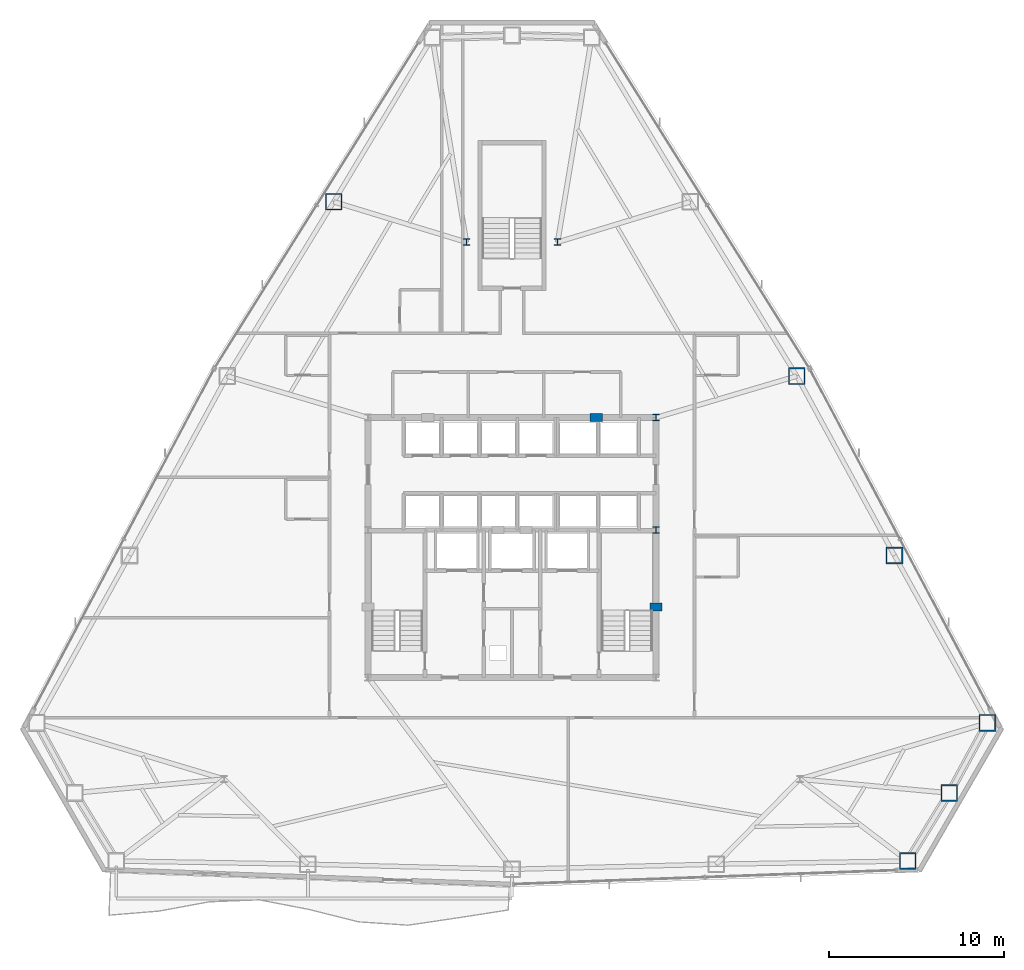
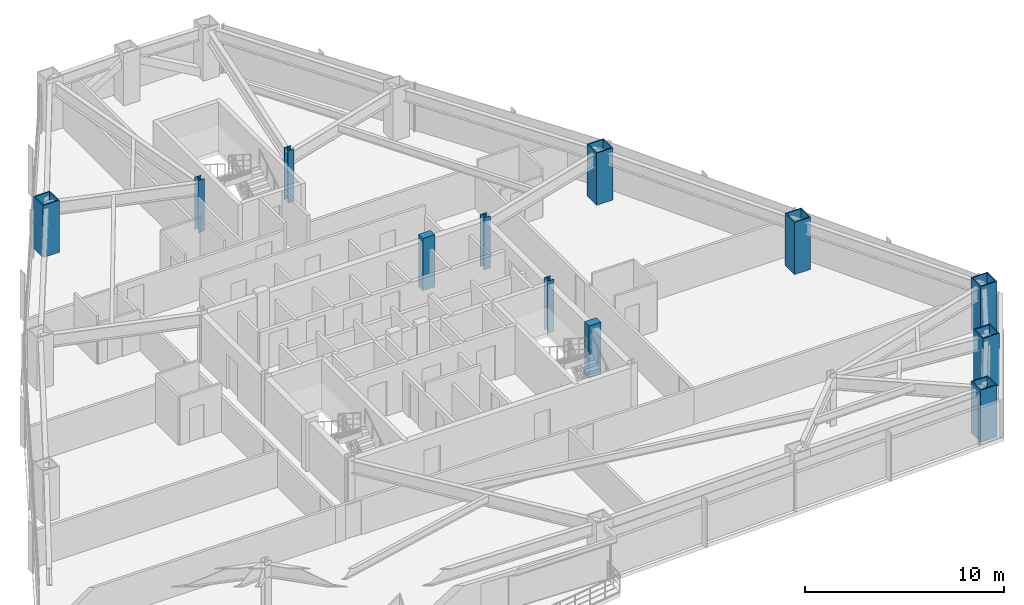
# One storey, part 2 of 13: 12 columns.
"""IFC4 building model written with IfcOpenShell, lengths in metres."""

from ifc_helpers import new_model, si_unit, direction, frame, origin, origin_2d, place, context, subcontext, project, spatial, rectangle, hollow_rectangle, i_section, extrude, material, material_profile, profile_set, type_object, element, save


model = new_model("IFC4")

# Units and contexts
model_context = context("Model", 3, precision=1e-05, world=origin(), true_north=direction((0.0, 1.0)))
body_context = subcontext(model_context, "Body", "Model", "MODEL_VIEW")
ifc_project = project(units=[si_unit("LENGTHUNIT", "METRE"), si_unit("AREAUNIT", "SQUARE_METRE"), si_unit("VOLUMEUNIT", "CUBIC_METRE"), si_unit("PLANEANGLEUNIT", "RADIAN"), si_unit("MASSUNIT", "GRAM", prefix="KILO")], contexts=[model_context])

# Site, building, storey
site_placement = place(None, origin())
site = spatial("IfcSite", under=ifc_project, at=site_placement, CompositionType="ELEMENT")
building_placement = place(site_placement, origin())
building = spatial("IfcBuilding", under=site, at=building_placement, Name="Varakhsha Concourse Tower", CompositionType="ELEMENT")
storey_placement = place(building_placement, frame((0.0, 0.0, 99.0)))
storey = spatial("IfcBuildingStorey", under=building, at=storey_placement, Name="L28", CompositionType="ELEMENT", Elevation=99.0)

# Columns
ifc_material_1 = material(Name="Structural Steel ASTM A992 Grade 50", Category="steel")
ifc_material_profile_1 = material_profile(ifc_material_1, i_section(OverallWidth=0.3740234375, OverallDepth=0.3720703125, WebThickness=0.01611328125, FlangeThickness=0.02587890625, at=origin_2d()), Name="W14X132")
ifc_profile_set_1 = profile_set([ifc_material_profile_1], Name="Structural Steel ASTM A992 Grade 50")
column_type_1 = type_object("IfcColumnType", Name="CL-CORE-W14X132", PredefinedType="COLUMN", material=ifc_profile_set_1)
for number, where, z_axis, x_axis, name in (
    (1, (48.199951171875, 24.800048828125, 0.0), (0.0, 0.0, 1.0), (1.0, 0.0, 0.0), "L28 Core Column CC-ME"),
    (2, (48.199951171875, 31.199951171875, 0.0), (0.0, 0.0, 1.0), (1.0, 0.0, 0.0), "L28 Core Column CC-NE"),
    (3, (37.39990234375, 41.199951171875, 0.0), (0.0, 0.0, 1.0), (1.0, 0.0, 0.0), "L28 Core Column NS-W"),
    (4, (42.60009765625, 41.199951171875, 0.0), (0.0, 0.0, 1.0), (1.0, 0.0, 0.0), "L28 Core Column NS-E"),
):
    element("IfcColumn", number, at=place(storey_placement, frame(where, z_axis=z_axis, x_axis=x_axis)), inside=storey, type_object=column_type_1, Name=name, PredefinedType="COLUMN", context=body_context, shape_type="SweptSolid", body=[
        extrude(i_section(OverallWidth=0.3740234375, OverallDepth=0.3720703125, WebThickness=0.01611328125, FlangeThickness=0.02587890625, at=origin_2d()), origin(), (0.0, 0.0, 1.0), 3.199951171875),
    ])
ifc_material_2 = material(Name="Concrete fc 65 MPa", Category="concrete")
ifc_material_profile_2 = material_profile(ifc_material_2, rectangle(XDim=0.699951171875, YDim=0.449951171875, at=origin_2d()), Name="RC 700x450")
ifc_profile_set_2 = profile_set([ifc_material_profile_2], Name="Concrete fc 65 MPa")
column_type_2 = type_object("IfcColumnType", Name="CL-PIL-700X450", PredefinedType="PILASTER", material=ifc_profile_set_2)
for number, where, z_axis, x_axis, name in (
    (5, (48.199951171875, 20.39990234375, 0.0), (0.0, 0.0, 1.0), (1.0, 0.0, 0.0), "L28 Core Boundary Pilaster PIL-E1"),
    (6, (44.800048828125, 31.199951171875, 0.0), (0.0, 0.0, 1.0), (1.0, 0.0, 0.0), "L28 Core Boundary Pilaster PIL-N2"),
):
    element("IfcColumn", number, at=place(storey_placement, frame(where, z_axis=z_axis, x_axis=x_axis)), inside=storey, type_object=column_type_2, Name=name, PredefinedType="PILASTER", context=body_context, shape_type="SweptSolid", body=[
        extrude(rectangle(XDim=0.699951171875, YDim=0.449951171875, at=origin_2d()), origin(), (0.0, 0.0, 1.0), 3.199951171875),
    ])
ifc_material_3 = material(Name="Structural Steel ASTM A572 Grade 50", Category="steel")
ifc_material_profile_3 = material_profile(ifc_material_3, hollow_rectangle(XDim=0.949951171875, YDim=0.949951171875, WallThickness=0.06494140625, at=origin_2d()), Name="BOX 950x950x65")
ifc_profile_set_3 = profile_set([ifc_material_profile_3], Name="Structural Steel ASTM A572 Grade 50")
column_type_3 = type_object("IfcColumnType", Name="CL-TUBE-950", PredefinedType="COLUMN", material=ifc_profile_set_3)
for number, where, z_axis, x_axis, name in (
    (7, (29.843505859375, 43.499755859375, 0.0), (0.0, 0.0, 1.0), (1.0, 0.0, 0.0), "L28 Framed-Tube Column TC04"),
    (8, (62.54931640625, 5.93701171875, 0.0), (0.0, 0.0, 1.0), (1.0, 0.0, 0.0), "L28 Framed-Tube Column TC13"),
    (9, (64.923583984375, 9.810302734375, 0.0), (0.0, 0.0, 1.0), (1.0, 0.0, 0.0), "L28 Framed-Tube Column TC14"),
    (10, (67.091064453125, 13.80322265625, 0.0), (0.0, 0.0, 1.0), (1.0, 0.0, 0.0), "L28 Framed-Tube Column TC15"),
    (11, (61.79248046875, 23.345947265625, 0.0), (0.0, 0.0, 1.0), (1.0, 0.0, 0.0), "L28 Framed-Tube Column TC16"),
    (12, (56.22802734375, 33.569091796875, 0.0), (0.0, 0.0, 1.0), (1.0, 0.0, 0.0), "L28 Framed-Tube Column TC17"),
):
    element("IfcColumn", number, at=place(storey_placement, frame(where, z_axis=z_axis, x_axis=x_axis)), inside=storey, type_object=column_type_3, Name=name, PredefinedType="COLUMN", context=body_context, shape_type="SweptSolid", body=[
        extrude(hollow_rectangle(XDim=0.949951171875, YDim=0.949951171875, WallThickness=0.06494140625, at=origin_2d()), origin(), (0.0, 0.0, 1.0), 3.199951171875),
    ])

save(model, "model.ifc")
